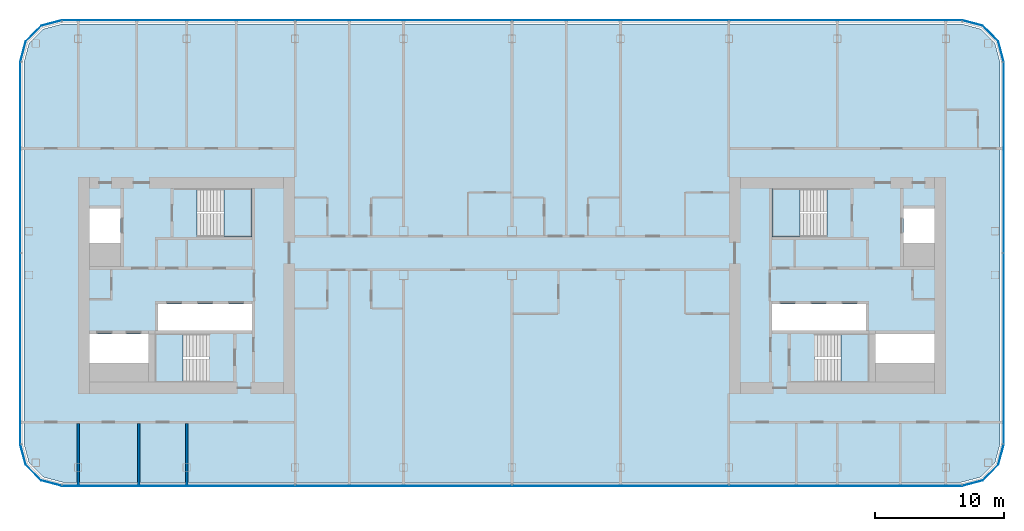
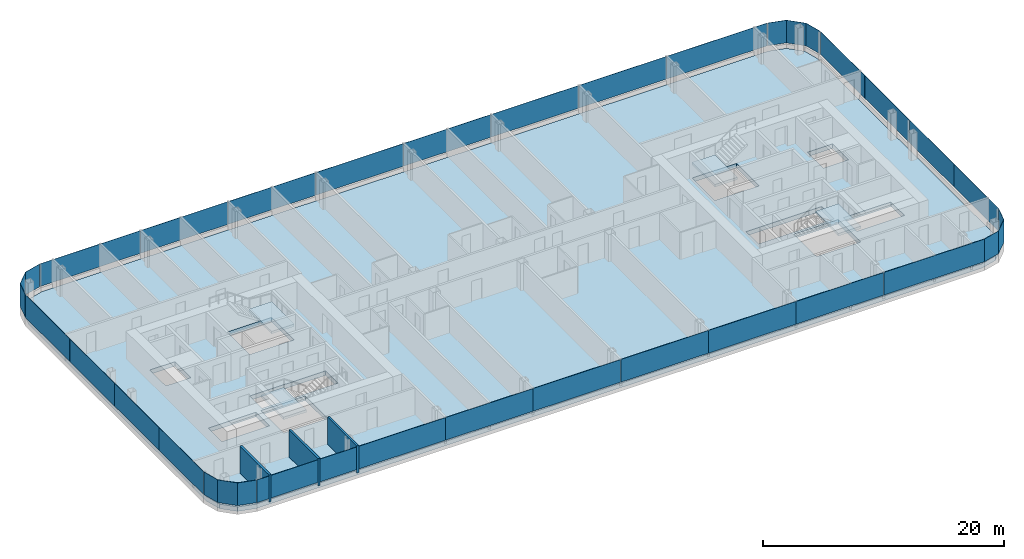
# One storey, part 12 of 26: 28 plates, 5 slabs, 3 walls, 12 elements without a shape of their own.
"""IFC4 building model written with IfcOpenShell, lengths in metres."""

from ifc_helpers import new_model, si_unit, direction, frame, frame_2d, origin, origin_2d, place, context, subcontext, project, spatial, polyline, rectangle, outline, extrude, material, layer, layer_set, type_object, element, aggregate, save


model = new_model("IFC4")

# Units and contexts
model_context = context("Model", 3, precision=1e-05, world=origin(), true_north=direction((0.0, 1.0)))
body_context = subcontext(model_context, "Body", "Model", "MODEL_VIEW")
ifc_project = project(units=[si_unit("LENGTHUNIT", "METRE"), si_unit("AREAUNIT", "SQUARE_METRE"), si_unit("VOLUMEUNIT", "CUBIC_METRE"), si_unit("PLANEANGLEUNIT", "RADIAN"), si_unit("MASSUNIT", "GRAM", prefix="KILO")], contexts=[model_context])

# Site, building, storey
site_placement = place(None, origin())
site = spatial("IfcSite", under=ifc_project, at=site_placement, CompositionType="ELEMENT")
building_placement = place(site_placement, origin())
building = spatial("IfcBuilding", under=site, at=building_placement, Name="Hakoniwa Tower and Hamabe Station Hall", CompositionType="ELEMENT")
storey_placement = place(building_placement, frame((0.0, 0.0, 212.199951171875)))
storey = spatial("IfcBuildingStorey", under=building, at=storey_placement, Name="L60", CompositionType="ELEMENT", Elevation=212.199951171875)

# Stair, slab
ifc_material_1 = material(Name="Concrete C40", Category="concrete")
stair_type = type_object("IfcStairType", Name="ESCAPE STAIR 1800", PredefinedType="HALF_TURN_STAIR", material=ifc_material_1)
stair_1_placement = place(storey_placement, origin())
stair_1 = element("IfcStair", 1, at=stair_1_placement, inside=storey, type_object=stair_type, Name="Escape stair ST-1 L60", PredefinedType="HALF_TURN_STAIR")
ifc_material_2 = material(Name="Concrete C40", Category="concrete")
ifc_layer_1 = layer(ifc_material_2, 0.25)
ifc_layer_set_1 = layer_set([ifc_layer_1], Name="CORE STAIR LANDING 250")
slab_type_1 = type_object("IfcSlabType", Name="CORE STAIR LANDING 250", PredefinedType="LANDING", material=ifc_layer_set_1)
slab_1_placement = place(storey_placement, frame((0.0, 0.0, 1.35009765625)))
slab_1 = element("IfcSlab", 2, at=slab_1_placement, type_object=slab_type_1, Name="ST-1 landing 1", PredefinedType="LANDING", context=body_context, shape_type="SweptSolid", body=[
    extrude(outline(polyline([(-22.320068359375, 3.75), (-20.14990234375, 3.75), (-20.14990234375, 7.5), (-22.320068359375, 7.5), (-22.320068359375, 3.75)])), origin(), (0.0, 0.0, 1.0), 0.25),
])
aggregate(stair_1, [slab_1])

stair_2_placement = place(storey_placement, origin())
stair_2 = element("IfcStair", 3, at=stair_2_placement, inside=storey, type_object=stair_type, Name="Escape stair ST-2 L60", PredefinedType="HALF_TURN_STAIR")
slab_2_placement = place(storey_placement, frame((0.0, 0.0, 1.35009765625)))
slab_2 = element("IfcSlab", 4, at=slab_2_placement, type_object=slab_type_1, Name="ST-2 landing 1", PredefinedType="LANDING", context=body_context, shape_type="SweptSolid", body=[
    extrude(outline(polyline([(-25.47998046875, -7.5), (-27.64990234375, -7.5), (-27.64990234375, -3.75), (-25.47998046875, -3.75), (-25.47998046875, -7.5)])), origin(), (0.0, 0.0, 1.0), 0.25),
])
aggregate(stair_2, [slab_2])

stair_3_placement = place(storey_placement, origin())
stair_3 = element("IfcStair", 5, at=stair_3_placement, inside=storey, type_object=stair_type, Name="Escape stair ST-3 L60", PredefinedType="HALF_TURN_STAIR")
slab_3_placement = place(storey_placement, frame((0.0, 0.0, 1.35009765625)))
slab_3 = element("IfcSlab", 6, at=slab_3_placement, type_object=slab_type_1, Name="ST-3 landing 1", PredefinedType="LANDING", context=body_context, shape_type="SweptSolid", body=[
    extrude(outline(polyline([(22.320068359375, 3.75), (20.14990234375, 3.75), (20.14990234375, 7.5), (22.320068359375, 7.5), (22.320068359375, 3.75)])), origin(), (0.0, 0.0, 1.0), 0.25),
])
aggregate(stair_3, [slab_3])

stair_4_placement = place(storey_placement, origin())
stair_4 = element("IfcStair", 7, at=stair_4_placement, inside=storey, type_object=stair_type, Name="Escape stair ST-4 L60", PredefinedType="HALF_TURN_STAIR")
slab_4_placement = place(storey_placement, frame((0.0, 0.0, 1.35009765625)))
slab_4 = element("IfcSlab", 8, at=slab_4_placement, type_object=slab_type_1, Name="ST-4 landing 1", PredefinedType="LANDING", context=body_context, shape_type="SweptSolid", body=[
    extrude(outline(polyline([(25.47998046875, -7.5), (27.64990234375, -7.5), (27.64990234375, -3.75), (25.47998046875, -3.75), (25.47998046875, -7.5)])), origin(), (0.0, 0.0, 1.0), 0.25),
])
aggregate(stair_4, [slab_4])

# Curtain wall, plates
ifc_material_3 = material(Name="Dark low-e laminated glass", Category="glass")
ifc_layer_2 = layer(ifc_material_3, 0.199951171875)
ifc_layer_set_2 = layer_set([ifc_layer_2], Name="CW-1 UNITISED GUEST")
curtain_wall_type = type_object("IfcCurtainWallType", Name="CW-1 UNITISED GUEST", PredefinedType="NOTDEFINED", material=ifc_layer_set_2)
curtain_wall_1_placement = place(storey_placement, origin())
curtain_wall_1 = element("IfcCurtainWall", 9, at=curtain_wall_1_placement, inside=storey, type_object=curtain_wall_type, Name="CW-1 curtain wall", PredefinedType="NOTDEFINED")
ifc_material_4 = material(Name="Dark low-e laminated glass", Category="glass")
ifc_layer_3 = layer(ifc_material_4, 0.028076171875)
ifc_layer_set_3 = layer_set([ifc_layer_3], Name="CW-1 GLASS UNIT")
plate_type = type_object("IfcPlateType", Name="CW-1 GLASS UNIT", PredefinedType="CURTAIN_PANEL", material=ifc_layer_set_3)
plate_1_placement = place(storey_placement, frame((38.0859375, -8.592041015625, 0.35009765625), z_axis=(0.0, 0.0, 1.0), x_axis=(0.0, 1.0, 0.0)))
plate_1 = element("IfcPlate", 10, at=plate_1_placement, type_object=plate_type, Name="CW-1 glass unit", PredefinedType="CURTAIN_PANEL", context=body_context, shape_type="SweptSolid", body=[
    extrude(rectangle(XDim=7.374755859375, YDim=0.028076171875, at=origin_2d()), origin(), (0.0, 0.0, 1.0), 2.300048828125),
])
plate_2_placement = place(storey_placement, frame((38.0859375, -1.197265625, 0.35009765625), z_axis=(0.0, 0.0, 1.0), x_axis=(0.0, 1.0, 0.0)))
plate_2 = element("IfcPlate", 11, at=plate_2_placement, type_object=plate_type, Name="CW-1 glass unit", PredefinedType="CURTAIN_PANEL", context=body_context, shape_type="SweptSolid", body=[
    extrude(rectangle(XDim=7.374755859375, YDim=0.028076171875, at=origin_2d()), origin(), (0.0, 0.0, 1.0), 2.300048828125),
])
plate_3_placement = place(storey_placement, frame((38.0859375, 6.197265625, 0.35009765625), z_axis=(0.0, 0.0, 1.0), x_axis=(0.0, 1.0, 0.0)))
plate_3 = element("IfcPlate", 12, at=plate_3_placement, type_object=plate_type, Name="CW-1 glass unit", PredefinedType="CURTAIN_PANEL", context=body_context, shape_type="SweptSolid", body=[
    extrude(rectangle(XDim=7.374755859375, YDim=0.028076171875, at=origin_2d()), origin(), (0.0, 0.0, 1.0), 2.300048828125),
])
plate_4_placement = place(storey_placement, frame((38.0859375, 13.592041015625, 0.35009765625), z_axis=(0.0, 0.0, 1.0), x_axis=(0.0, 1.0, 0.0)))
plate_4 = element("IfcPlate", 13, at=plate_4_placement, type_object=plate_type, Name="CW-1 glass unit", PredefinedType="CURTAIN_PANEL", context=body_context, shape_type="SweptSolid", body=[
    extrude(rectangle(XDim=7.374755859375, YDim=0.028076171875, at=origin_2d()), origin(), (0.0, 0.0, 1.0), 2.300048828125),
])
aggregate(curtain_wall_1, [plate_1, plate_2, plate_3, plate_4])

# Curtain wall, plate
curtain_wall_2_placement = place(storey_placement, origin())
curtain_wall_2 = element("IfcCurtainWall", 14, at=curtain_wall_2_placement, inside=storey, type_object=curtain_wall_type, Name="CW-1 curtain wall", PredefinedType="NOTDEFINED")
plate_5_placement = place(storey_placement, frame((0.0, 0.0, 0.35009765625)))
plate_5 = element("IfcPlate", 15, at=plate_5_placement, type_object=plate_type, Name="CW-1 curved corner unit", PredefinedType="CURTAIN_PANEL", context=body_context, shape_type="SweptSolid", body=[
    extrude(outline(polyline([(38.089599609375, 17.328125), (37.6669921875, 18.9052734375), (36.455322265625, 20.116943359375), (34.878173828125, 20.53955078125), (34.870849609375, 20.5126953125), (36.44091796875, 20.092041015625), (37.641845703125, 18.890869140625), (38.0625, 17.32080078125), (38.089599609375, 17.328125)])), origin(), (0.0, 0.0, 1.0), 2.300048828125),
])
aggregate(curtain_wall_2, [plate_5])

# Curtain wall, plates
curtain_wall_3_placement = place(storey_placement, origin())
curtain_wall_3 = element("IfcCurtainWall", 16, at=curtain_wall_3_placement, inside=storey, type_object=curtain_wall_type, Name="CW-1 curtain wall", PredefinedType="NOTDEFINED")
plate_6_placement = place(storey_placement, frame((30.019775390625, 20.535888671875, 0.35009765625), z_axis=(0.0, 0.0, 1.0), x_axis=(-1.0, 0.0, 0.0)))
plate_6 = element("IfcPlate", 17, at=plate_6_placement, type_object=plate_type, Name="CW-1 glass unit", PredefinedType="CURTAIN_PANEL", context=body_context, shape_type="SweptSolid", body=[
    extrude(rectangle(XDim=9.619384765625, YDim=0.028076171875, at=origin_2d()), origin(), (0.0, 0.0, 1.0), 2.300048828125),
])
plate_7_placement = place(storey_placement, frame((21.0, 20.535888671875, 0.35009765625), z_axis=(0.0, 0.0, 1.0), x_axis=(-1.0, 0.0, 0.0)))
plate_7 = element("IfcPlate", 18, at=plate_7_placement, type_object=plate_type, Name="CW-1 glass unit", PredefinedType="CURTAIN_PANEL", context=body_context, shape_type="SweptSolid", body=[
    extrude(rectangle(XDim=8.3798828125, YDim=0.028076171875, at=origin_2d()), origin(), (0.0, 0.0, 1.0), 2.300048828125),
])
plate_8_placement = place(storey_placement, frame((12.60009765625, 20.535888671875, 0.35009765625), z_axis=(0.0, 0.0, 1.0), x_axis=(-1.0, 0.0, 0.0)))
plate_8 = element("IfcPlate", 19, at=plate_8_placement, type_object=plate_type, Name="CW-1 glass unit", PredefinedType="CURTAIN_PANEL", context=body_context, shape_type="SweptSolid", body=[
    extrude(rectangle(XDim=8.3798828125, YDim=0.028076171875, at=origin_2d()), origin(), (0.0, 0.0, 1.0), 2.300048828125),
])
plate_9_placement = place(storey_placement, frame((4.199951171875, 20.535888671875, 0.35009765625), z_axis=(0.0, 0.0, 1.0), x_axis=(-1.0, 0.0, 0.0)))
plate_9 = element("IfcPlate", 20, at=plate_9_placement, type_object=plate_type, Name="CW-1 glass unit", PredefinedType="CURTAIN_PANEL", context=body_context, shape_type="SweptSolid", body=[
    extrude(rectangle(XDim=8.3798828125, YDim=0.028076171875, at=origin_2d()), origin(), (0.0, 0.0, 1.0), 2.300048828125),
])
plate_10_placement = place(storey_placement, frame((-4.199951171875, 20.535888671875, 0.35009765625), z_axis=(0.0, 0.0, 1.0), x_axis=(-1.0, 0.0, 0.0)))
plate_10 = element("IfcPlate", 21, at=plate_10_placement, type_object=plate_type, Name="CW-1 glass unit", PredefinedType="CURTAIN_PANEL", context=body_context, shape_type="SweptSolid", body=[
    extrude(rectangle(XDim=8.3798828125, YDim=0.028076171875, at=origin_2d()), origin(), (0.0, 0.0, 1.0), 2.300048828125),
])
plate_11_placement = place(storey_placement, frame((-12.60009765625, 20.535888671875, 0.35009765625), z_axis=(0.0, 0.0, 1.0), x_axis=(-1.0, 0.0, 0.0)))
plate_11 = element("IfcPlate", 22, at=plate_11_placement, type_object=plate_type, Name="CW-1 glass unit", PredefinedType="CURTAIN_PANEL", context=body_context, shape_type="SweptSolid", body=[
    extrude(rectangle(XDim=8.3798828125, YDim=0.028076171875, at=origin_2d()), origin(), (0.0, 0.0, 1.0), 2.300048828125),
])
plate_12_placement = place(storey_placement, frame((-21.0, 20.535888671875, 0.35009765625), z_axis=(0.0, 0.0, 1.0), x_axis=(-1.0, 0.0, 0.0)))
plate_12 = element("IfcPlate", 23, at=plate_12_placement, type_object=plate_type, Name="CW-1 glass unit", PredefinedType="CURTAIN_PANEL", context=body_context, shape_type="SweptSolid", body=[
    extrude(rectangle(XDim=8.3798828125, YDim=0.028076171875, at=origin_2d()), origin(), (0.0, 0.0, 1.0), 2.300048828125),
])
plate_13_placement = place(storey_placement, frame((-30.019775390625, 20.535888671875, 0.35009765625), z_axis=(0.0, 0.0, 1.0), x_axis=(-1.0, 0.0, 0.0)))
plate_13 = element("IfcPlate", 24, at=plate_13_placement, type_object=plate_type, Name="CW-1 glass unit", PredefinedType="CURTAIN_PANEL", context=body_context, shape_type="SweptSolid", body=[
    extrude(rectangle(XDim=9.619384765625, YDim=0.028076171875, at=origin_2d()), origin(), (0.0, 0.0, 1.0), 2.300048828125),
])
aggregate(curtain_wall_3, [plate_6, plate_7, plate_8, plate_9, plate_10, plate_11, plate_12, plate_13])

# Curtain wall, plate
curtain_wall_4_placement = place(storey_placement, origin())
curtain_wall_4 = element("IfcCurtainWall", 25, at=curtain_wall_4_placement, inside=storey, type_object=curtain_wall_type, Name="CW-1 curtain wall", PredefinedType="NOTDEFINED")
plate_14_placement = place(storey_placement, frame((0.0, 0.0, 0.35009765625)))
plate_14 = element("IfcPlate", 26, at=plate_14_placement, type_object=plate_type, Name="CW-1 curved corner unit", PredefinedType="CURTAIN_PANEL", context=body_context, shape_type="SweptSolid", body=[
    extrude(outline(polyline([(-34.878173828125, 20.53955078125), (-36.455322265625, 20.116943359375), (-37.6669921875, 18.9052734375), (-38.089599609375, 17.328125), (-38.0625, 17.32080078125), (-37.641845703125, 18.890869140625), (-36.44091796875, 20.092041015625), (-34.870849609375, 20.5126953125), (-34.878173828125, 20.53955078125)])), origin(), (0.0, 0.0, 1.0), 2.300048828125),
])
aggregate(curtain_wall_4, [plate_14])

# Curtain wall, plates
curtain_wall_5_placement = place(storey_placement, origin())
curtain_wall_5 = element("IfcCurtainWall", 27, at=curtain_wall_5_placement, inside=storey, type_object=curtain_wall_type, Name="CW-1 curtain wall", PredefinedType="NOTDEFINED")
plate_15_placement = place(storey_placement, frame((-38.0859375, 13.592041015625, 0.35009765625), z_axis=(0.0, 0.0, 1.0), x_axis=(0.0, -1.0, 0.0)))
plate_15 = element("IfcPlate", 28, at=plate_15_placement, type_object=plate_type, Name="CW-1 glass unit", PredefinedType="CURTAIN_PANEL", context=body_context, shape_type="SweptSolid", body=[
    extrude(rectangle(XDim=7.374755859375, YDim=0.028076171875, at=origin_2d()), origin(), (0.0, 0.0, 1.0), 2.300048828125),
])
plate_16_placement = place(storey_placement, frame((-38.0859375, 6.197265625, 0.35009765625), z_axis=(0.0, 0.0, 1.0), x_axis=(0.0, -1.0, 0.0)))
plate_16 = element("IfcPlate", 29, at=plate_16_placement, type_object=plate_type, Name="CW-1 glass unit", PredefinedType="CURTAIN_PANEL", context=body_context, shape_type="SweptSolid", body=[
    extrude(rectangle(XDim=7.374755859375, YDim=0.028076171875, at=origin_2d()), origin(), (0.0, 0.0, 1.0), 2.300048828125),
])
plate_17_placement = place(storey_placement, frame((-38.0859375, -1.197265625, 0.35009765625), z_axis=(0.0, 0.0, 1.0), x_axis=(0.0, -1.0, 0.0)))
plate_17 = element("IfcPlate", 30, at=plate_17_placement, type_object=plate_type, Name="CW-1 glass unit", PredefinedType="CURTAIN_PANEL", context=body_context, shape_type="SweptSolid", body=[
    extrude(rectangle(XDim=7.374755859375, YDim=0.028076171875, at=origin_2d()), origin(), (0.0, 0.0, 1.0), 2.300048828125),
])
plate_18_placement = place(storey_placement, frame((-38.0859375, -8.592041015625, 0.35009765625), z_axis=(0.0, 0.0, 1.0), x_axis=(0.0, -1.0, 0.0)))
plate_18 = element("IfcPlate", 31, at=plate_18_placement, type_object=plate_type, Name="CW-1 glass unit", PredefinedType="CURTAIN_PANEL", context=body_context, shape_type="SweptSolid", body=[
    extrude(rectangle(XDim=7.374755859375, YDim=0.028076171875, at=origin_2d()), origin(), (0.0, 0.0, 1.0), 2.300048828125),
])
aggregate(curtain_wall_5, [plate_15, plate_16, plate_17, plate_18])

# Curtain wall, plate
curtain_wall_6_placement = place(storey_placement, origin())
curtain_wall_6 = element("IfcCurtainWall", 32, at=curtain_wall_6_placement, inside=storey, type_object=curtain_wall_type, Name="CW-1 curtain wall", PredefinedType="NOTDEFINED")
plate_19_placement = place(storey_placement, frame((0.0, 0.0, 0.35009765625)))
plate_19 = element("IfcPlate", 33, at=plate_19_placement, type_object=plate_type, Name="CW-1 curved corner unit", PredefinedType="CURTAIN_PANEL", context=body_context, shape_type="SweptSolid", body=[
    extrude(outline(polyline([(-38.089599609375, -12.328125), (-37.6669921875, -13.9052734375), (-36.455322265625, -15.116943359375), (-34.878173828125, -15.53955078125), (-34.870849609375, -15.5126953125), (-36.44091796875, -15.092041015625), (-37.641845703125, -13.890869140625), (-38.0625, -12.32080078125), (-38.089599609375, -12.328125)])), origin(), (0.0, 0.0, 1.0), 2.300048828125),
])
aggregate(curtain_wall_6, [plate_19])

# Curtain wall, plates
curtain_wall_7_placement = place(storey_placement, origin())
curtain_wall_7 = element("IfcCurtainWall", 34, at=curtain_wall_7_placement, inside=storey, type_object=curtain_wall_type, Name="CW-1 curtain wall", PredefinedType="NOTDEFINED")
plate_20_placement = place(storey_placement, frame((-30.019775390625, -15.535888671875, 0.35009765625), z_axis=(0.0, 0.0, 1.0), x_axis=(1.0, 0.0, 0.0)))
plate_20 = element("IfcPlate", 35, at=plate_20_placement, type_object=plate_type, Name="CW-1 glass unit", PredefinedType="CURTAIN_PANEL", context=body_context, shape_type="SweptSolid", body=[
    extrude(rectangle(XDim=9.619384765625, YDim=0.028076171875, at=origin_2d()), origin(), (0.0, 0.0, 1.0), 2.300048828125),
])
plate_21_placement = place(storey_placement, frame((-21.0, -15.535888671875, 0.35009765625), z_axis=(0.0, 0.0, 1.0), x_axis=(1.0, 0.0, 0.0)))
plate_21 = element("IfcPlate", 36, at=plate_21_placement, type_object=plate_type, Name="CW-1 glass unit", PredefinedType="CURTAIN_PANEL", context=body_context, shape_type="SweptSolid", body=[
    extrude(rectangle(XDim=8.3798828125, YDim=0.028076171875, at=origin_2d()), origin(), (0.0, 0.0, 1.0), 2.300048828125),
])
plate_22_placement = place(storey_placement, frame((-12.60009765625, -15.535888671875, 0.35009765625), z_axis=(0.0, 0.0, 1.0), x_axis=(1.0, 0.0, 0.0)))
plate_22 = element("IfcPlate", 37, at=plate_22_placement, type_object=plate_type, Name="CW-1 glass unit", PredefinedType="CURTAIN_PANEL", context=body_context, shape_type="SweptSolid", body=[
    extrude(rectangle(XDim=8.3798828125, YDim=0.028076171875, at=origin_2d()), origin(), (0.0, 0.0, 1.0), 2.300048828125),
])
plate_23_placement = place(storey_placement, frame((-4.199951171875, -15.535888671875, 0.35009765625), z_axis=(0.0, 0.0, 1.0), x_axis=(1.0, 0.0, 0.0)))
plate_23 = element("IfcPlate", 38, at=plate_23_placement, type_object=plate_type, Name="CW-1 glass unit", PredefinedType="CURTAIN_PANEL", context=body_context, shape_type="SweptSolid", body=[
    extrude(rectangle(XDim=8.3798828125, YDim=0.028076171875, at=origin_2d()), origin(), (0.0, 0.0, 1.0), 2.300048828125),
])
plate_24_placement = place(storey_placement, frame((4.199951171875, -15.535888671875, 0.35009765625), z_axis=(0.0, 0.0, 1.0), x_axis=(1.0, 0.0, 0.0)))
plate_24 = element("IfcPlate", 39, at=plate_24_placement, type_object=plate_type, Name="CW-1 glass unit", PredefinedType="CURTAIN_PANEL", context=body_context, shape_type="SweptSolid", body=[
    extrude(rectangle(XDim=8.3798828125, YDim=0.028076171875, at=origin_2d()), origin(), (0.0, 0.0, 1.0), 2.300048828125),
])
plate_25_placement = place(storey_placement, frame((12.60009765625, -15.535888671875, 0.35009765625), z_axis=(0.0, 0.0, 1.0), x_axis=(1.0, 0.0, 0.0)))
plate_25 = element("IfcPlate", 40, at=plate_25_placement, type_object=plate_type, Name="CW-1 glass unit", PredefinedType="CURTAIN_PANEL", context=body_context, shape_type="SweptSolid", body=[
    extrude(rectangle(XDim=8.3798828125, YDim=0.028076171875, at=origin_2d()), origin(), (0.0, 0.0, 1.0), 2.300048828125),
])
plate_26_placement = place(storey_placement, frame((21.0, -15.535888671875, 0.35009765625), z_axis=(0.0, 0.0, 1.0), x_axis=(1.0, 0.0, 0.0)))
plate_26 = element("IfcPlate", 41, at=plate_26_placement, type_object=plate_type, Name="CW-1 glass unit", PredefinedType="CURTAIN_PANEL", context=body_context, shape_type="SweptSolid", body=[
    extrude(rectangle(XDim=8.3798828125, YDim=0.028076171875, at=origin_2d()), origin(), (0.0, 0.0, 1.0), 2.300048828125),
])
plate_27_placement = place(storey_placement, frame((30.019775390625, -15.535888671875, 0.35009765625), z_axis=(0.0, 0.0, 1.0), x_axis=(1.0, 0.0, 0.0)))
plate_27 = element("IfcPlate", 42, at=plate_27_placement, type_object=plate_type, Name="CW-1 glass unit", PredefinedType="CURTAIN_PANEL", context=body_context, shape_type="SweptSolid", body=[
    extrude(rectangle(XDim=9.619384765625, YDim=0.028076171875, at=origin_2d()), origin(), (0.0, 0.0, 1.0), 2.300048828125),
])
aggregate(curtain_wall_7, [plate_20, plate_21, plate_22, plate_23, plate_24, plate_25, plate_26, plate_27])

# Curtain wall, plate
curtain_wall_8_placement = place(storey_placement, origin())
curtain_wall_8 = element("IfcCurtainWall", 43, at=curtain_wall_8_placement, inside=storey, type_object=curtain_wall_type, Name="CW-1 curtain wall", PredefinedType="NOTDEFINED")
plate_28_placement = place(storey_placement, frame((0.0, 0.0, 0.35009765625)))
plate_28 = element("IfcPlate", 44, at=plate_28_placement, type_object=plate_type, Name="CW-1 curved corner unit", PredefinedType="CURTAIN_PANEL", context=body_context, shape_type="SweptSolid", body=[
    extrude(outline(polyline([(34.878173828125, -15.53955078125), (36.455322265625, -15.116943359375), (37.6669921875, -13.9052734375), (38.089599609375, -12.328125), (38.0625, -12.32080078125), (37.641845703125, -13.890869140625), (36.44091796875, -15.092041015625), (34.870849609375, -15.5126953125), (34.878173828125, -15.53955078125)])), origin(), (0.0, 0.0, 1.0), 2.300048828125),
])
aggregate(curtain_wall_8, [plate_28])

# Slab
ifc_material_5 = material(Name="Concrete C42", Category="concrete")
ifc_layer_4 = layer(ifc_material_5, 0.449951171875)
ifc_layer_set_4 = layer_set([ifc_layer_4], Name="PT FLAT PLATE 450")
slab_type_2 = type_object("IfcSlabType", Name="PT FLAT PLATE 450", PredefinedType="FLOOR", material=ifc_layer_set_4)
slab_5_placement = place(storey_placement, frame((0.0, 0.0, -0.449951171875)))
element("IfcSlab", 45, at=slab_5_placement, inside=storey, type_object=slab_type_2, Name="Floor slab L60", PredefinedType="FLOOR", context=body_context, shape_type="SweptSolid", body=[
    extrude(outline(polyline([(37.800048828125, -12.25), (37.800048828125, 17.25), (37.398193359375, 18.75), (36.300048828125, 19.84814453125), (34.800048828125, 20.25), (-34.800048828125, 20.25), (-36.300048828125, 19.84814453125), (-37.398193359375, 18.75), (-37.800048828125, 17.25), (-37.800048828125, -12.25), (-37.398193359375, -13.75), (-36.300048828125, -14.84814453125), (-34.800048828125, -15.25), (34.800048828125, -15.25), (36.300048828125, -14.84814453125), (37.398193359375, -13.75), (37.800048828125, -12.25)]), holes=[polyline([(-27.39990234375, -3.5), (-27.39990234375, -1.449951171875), (-20.14990234375, -1.449951171875), (-20.14990234375, -3.5), (-27.39990234375, -3.5)]), polyline([(-32.699951171875, 3.300048828125), (-32.699951171875, 5.949951171875), (-30.300048828125, 5.949951171875), (-30.300048828125, 3.300048828125), (-32.699951171875, 3.300048828125)]), polyline([(-32.699951171875, -6.0), (-32.699951171875, -3.75), (-28.14990234375, -3.75), (-28.14990234375, -6.0), (-32.699951171875, -6.0)]), polyline([(-24.389892578125, 3.75), (-24.389892578125, 7.5), (-20.14990234375, 7.5), (-20.14990234375, 3.75), (-24.389892578125, 3.75)]), polyline([(-27.64990234375, -7.5), (-27.64990234375, -3.75), (-23.409912109375, -3.75), (-23.409912109375, -7.5), (-27.64990234375, -7.5)]), polyline([(20.14990234375, -3.5), (20.14990234375, -1.449951171875), (27.39990234375, -1.449951171875), (27.39990234375, -3.5), (20.14990234375, -3.5)]), polyline([(30.300048828125, 3.300048828125), (30.300048828125, 5.949951171875), (32.699951171875, 5.949951171875), (32.699951171875, 3.300048828125), (30.300048828125, 3.300048828125)]), polyline([(28.14990234375, -6.0), (28.14990234375, -3.75), (32.699951171875, -3.75), (32.699951171875, -6.0), (28.14990234375, -6.0)]), polyline([(20.14990234375, 3.75), (20.14990234375, 7.5), (24.389892578125, 7.5), (24.389892578125, 3.75), (20.14990234375, 3.75)]), polyline([(23.409912109375, -7.5), (23.409912109375, -3.75), (27.64990234375, -3.75), (27.64990234375, -7.5), (23.409912109375, -7.5)])]), origin(), (0.0, 0.0, 1.0), 0.449951171875),
])

# Walls
ifc_material_6 = material(Name="Fire-rated gypsum board partition", Category="gypsum")
ifc_layer_5 = layer(ifc_material_6, 0.199951171875)
ifc_layer_set_5 = layer_set([ifc_layer_5], Name="Party Wall 200")
wall_type = type_object("IfcWallType", Name="Party Wall 200", PredefinedType="PARTITIONING", material=ifc_layer_set_5)
for number, where, z_axis, x_axis, name in (
    (46, (-33.60009765625, -15.550048828125, 0.0), (0.0, 0.0, 1.0), (0.0, 1.0, 0.0), "GW-L60-018"),
    (47, (-28.89990234375, -15.550048828125, 0.0), (0.0, 0.0, 1.0), (0.0, 1.0, 0.0), "GW-L60-021"),
    (48, (-25.199951171875, -15.550048828125, 0.0), (0.0, 0.0, 1.0), (0.0, 1.0, 0.0), "GW-L60-022"),
):
    element("IfcWall", number, at=place(storey_placement, frame(where, z_axis=z_axis, x_axis=x_axis)), inside=storey, type_object=wall_type, Name=name, PredefinedType="PARTITIONING", context=body_context, shape_type="SweptSolid", body=[
        extrude(rectangle(XDim=4.85009765625, YDim=0.199951171875, at=frame_2d((2.425048828125, 0.0))), origin(), (0.0, 0.0, 1.0), 2.75),
    ])

save(model, "model.ifc")
